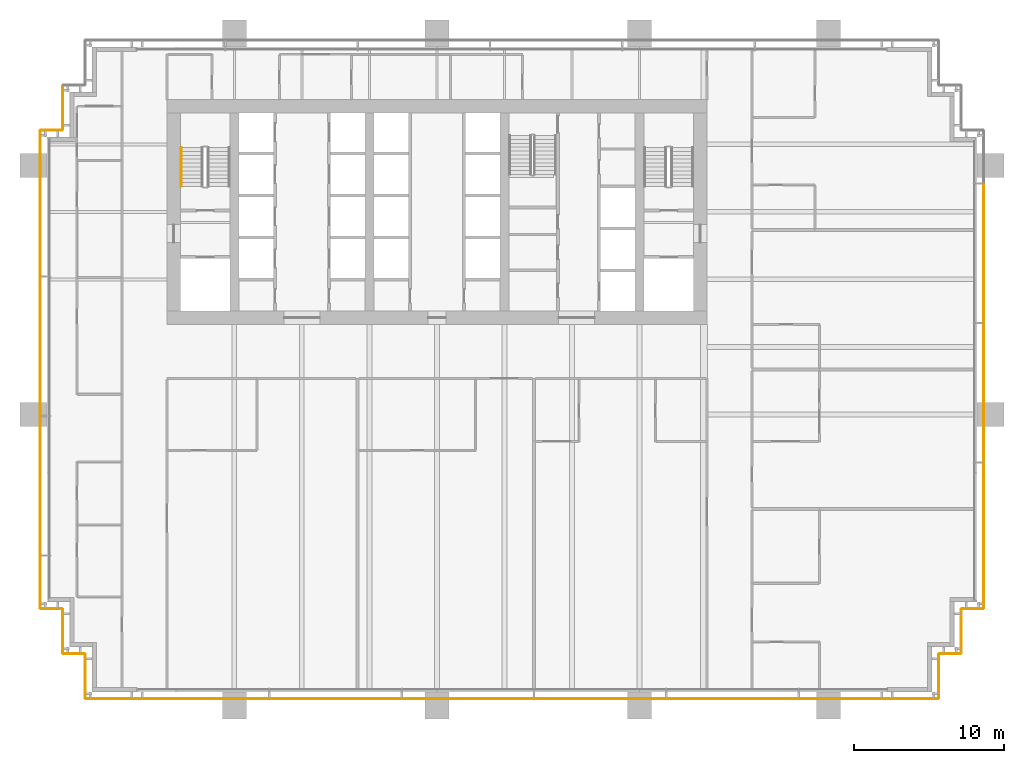
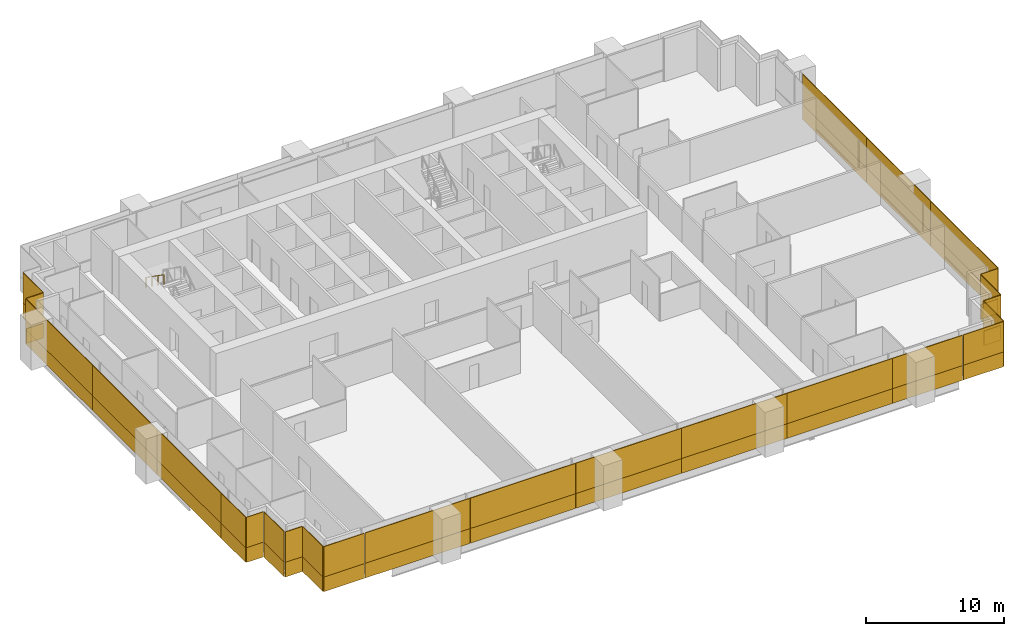
# One storey, part 17 of 19: 50 coverings, 1 railing.
"""IFC4 building model written with IfcOpenShell, lengths in metres."""

import ifcopenshell
import ifcopenshell.guid

model = None  # the IFC model being written
_history = None  # IfcOwnerHistory: only IFC2X3 demands one
_inside = {}  # id of a spatial element -> (the spatial element, [elements in it])
_under = {}  # id of a project, library or spatial element -> (it, [spatial elements below it])
_declared = {}  # id of a project -> (the project, [libraries it declares])
_typed = {}  # id of a type object -> (the type object, [elements of that type])
_made_of = {}  # id of a material, layer set ... -> (it, [elements and type objects made of it])


def new_model(schema):
    """Start an empty IFC model of exactly this schema.

    Asked for "IFC4X3", IfcOpenShell would pick the latest addendum, in which some entities
    have other attributes; the version numbers below select the first issue.
    IFC2X3 requires an IfcOwnerHistory on every rooted entity: one is made here for all.
    """
    global model, _history
    if schema == "IFC4X3":
        model = ifcopenshell.file(schema_version=(4, 3, 0, 0))
    else:
        model = ifcopenshell.file(schema=schema)
    _inside.clear()
    _under.clear()
    _declared.clear()
    _typed.clear()
    _made_of.clear()
    _history = None
    if model.schema == "IFC2X3":
        org = make("IfcOrganization", Name="unknown")
        user = make(
            "IfcPersonAndOrganization",
            ThePerson=make("IfcPerson", FamilyName="unknown"),
            TheOrganization=org,
        )
        app = make(
            "IfcApplication",
            ApplicationDeveloper=org,
            Version="unknown",
            ApplicationFullName="unknown",
            ApplicationIdentifier="unknown",
        )
        _history = make(
            "IfcOwnerHistory",
            OwningUser=user,
            OwningApplication=app,
            ChangeAction="ADDED",
            CreationDate=0,
        )
    return model


def make(cls, **values):
    """One entity of the class cls with the attributes given. An attribute that is None is left unset."""
    return model.create_entity(
        cls, **{name: value for name, value in values.items() if value is not None}
    )


def rooted(cls, **values):
    """An entity with a GlobalId (a new one), such as an element, a storey or a relation."""
    return make(cls, GlobalId=ifcopenshell.guid.new(), OwnerHistory=_history, **values)


def si_unit(unit_type, name, prefix=None):
    """IfcSIUnit, for example si_unit("LENGTHUNIT", "METRE", prefix="MILLI")."""
    return make("IfcSIUnit", UnitType=unit_type, Prefix=prefix, Name=name)


def assignment(units):
    """IfcUnitAssignment: the units of a project."""
    return None if units is None else make("IfcUnitAssignment", Units=units)


def point(xyz):
    """IfcCartesianPoint."""
    return None if xyz is None else make("IfcCartesianPoint", Coordinates=xyz)


def direction(xyz):
    """IfcDirection."""
    return None if xyz is None else make("IfcDirection", DirectionRatios=xyz)


def frame(location, z_axis=None, x_axis=None):
    """IfcAxis2Placement3D, a coordinate frame: its origin and axes. An axis left out is left unset."""
    return make(
        "IfcAxis2Placement3D",
        Location=point(location),
        Axis=direction(z_axis),
        RefDirection=direction(x_axis),
    )


def frame_2d(location, x_axis=None):
    """IfcAxis2Placement2D, a coordinate frame in the plane: its origin and x axis."""
    return make(
        "IfcAxis2Placement2D", Location=point(location), RefDirection=direction(x_axis)
    )


def origin():
    """The frame at (0, 0, 0) with its axes left unset."""
    return frame((0.0, 0.0, 0.0))


def origin_2d():
    """The frame at (0, 0) in the plane with its x axis left unset."""
    return frame_2d((0.0, 0.0))


def place(relative_to, where):
    """IfcLocalPlacement: puts the frame where relative to a parent placement (None: the world)."""
    return make(
        "IfcLocalPlacement", PlacementRelTo=relative_to, RelativePlacement=where
    )


def context(
    kind, dimensions, precision=None, world=None, true_north=None, identifier=None
):
    """IfcGeometricRepresentationContext, for example the 3D "Model" context."""
    return make(
        "IfcGeometricRepresentationContext",
        ContextIdentifier=identifier,
        ContextType=kind,
        CoordinateSpaceDimension=dimensions,
        Precision=precision,
        WorldCoordinateSystem=world,
        TrueNorth=true_north,
    )


def subcontext(parent, identifier, kind, view, scale=None):
    """IfcGeometricRepresentationSubContext, for example "Body" below "Model"."""
    return make(
        "IfcGeometricRepresentationSubContext",
        ContextIdentifier=identifier,
        ContextType=kind,
        ParentContext=parent,
        TargetScale=scale,
        TargetView=view,
    )


def project(units=None, contexts=None):
    """IfcProject with its units and contexts."""
    return rooted(
        "IfcProject",
        Name="project",
        RepresentationContexts=contexts,
        UnitsInContext=assignment(units),
    )


def spatial(cls, under=None, at=None, **own):
    """A site, building, storey or space (cls), placed at a placement, below another one or the project."""
    s = rooted(cls, ObjectPlacement=at, **own)
    if under is not None:
        _under.setdefault(under.id(), (under, []))[1].append(s)
    return s


def profile(cls, at=None, kind="AREA", **sizes):
    """A parametric profile (cls). Its sizes go by their IFC names, for example OverallWidth=200.0."""
    return make(cls, ProfileType=kind, Position=at, **sizes)


def rectangle(**sizes):
    """IfcRectangleProfileDef."""
    return profile("IfcRectangleProfileDef", **sizes)


def extrude(swept, where, along, depth):
    """IfcExtrudedAreaSolid: the profile swept, set in the frame where, extruded along a direction by depth."""
    return make(
        "IfcExtrudedAreaSolid",
        SweptArea=swept,
        Position=where,
        ExtrudedDirection=direction(along),
        Depth=depth,
    )


def shape(context_of_items, identifier, shape_type, items):
    """IfcShapeRepresentation: the items that make up one representation, for example the "Body"."""
    return make(
        "IfcShapeRepresentation",
        ContextOfItems=context_of_items,
        RepresentationIdentifier=identifier,
        RepresentationType=shape_type,
        Items=items,
    )


def material(Name=None, Category=None):
    """IfcMaterial."""
    return make("IfcMaterial", Name=Name, Category=Category)


def layer(
    of_material, thickness, ventilated=None, Name=None, Category=None, Priority=None
):
    """IfcMaterialLayer: one layer of a wall or slab, of a material (None: an air gap)."""
    return make(
        "IfcMaterialLayer",
        Material=of_material,
        LayerThickness=thickness,
        IsVentilated=ventilated,
        Name=Name,
        Category=Category,
        Priority=Priority,
    )


def layer_set(layers, Name=None):
    """IfcMaterialLayerSet."""
    return make("IfcMaterialLayerSet", MaterialLayers=layers, LayerSetName=Name)


def made_of(thing, what):
    """Note that an element or type object is made of a material, layer set ...; save() writes the relation."""
    if what is not None:
        _made_of.setdefault(what.id(), (what, []))[1].append(thing)
    return thing


def type_object(cls, material=None, **own):
    """A type object (cls), such as IfcWallType, which elements share."""
    return made_of(rooted(cls, **own), material)


def element(
    cls,
    number,
    at=None,
    inside=None,
    cuts=None,
    type_object=None,
    material=None,
    context=None,
    identifier="Body",
    shape_type=None,
    held_by="IfcProductDefinitionShape",
    body=None,
    shapes=None,
    **own,
):
    """One element of the class cls, such as IfcWall. Its Tag is "e" and its number.

    at: its placement. inside: the storey or other place that contains it. cuts: it is an
    opening in that element (IfcRelVoidsElement). A single representation is given by context,
    identifier, shape_type and body (its items); several are given by shapes. held_by: the class
    of the entity that holds the representations. save() writes the other relations.
    """
    e = rooted(cls, Tag="e%d" % number, ObjectPlacement=at, **own)
    if body is not None:
        shapes = [shape(context, identifier, shape_type, body)]
    if shapes is not None:
        e.Representation = make(held_by, Representations=shapes)
    if inside is not None:
        _inside.setdefault(inside.id(), (inside, []))[1].append(e)
    if cuts is not None:
        rooted(
            "IfcRelVoidsElement", RelatingBuildingElement=cuts, RelatedOpeningElement=e
        )
    if type_object is not None:
        _typed.setdefault(type_object.id(), (type_object, []))[1].append(e)
    return made_of(e, material)


def aggregate(whole, parts):
    """IfcRelAggregates: a whole, such as a stair, and the parts it consists of."""
    return rooted("IfcRelAggregates", RelatingObject=whole, RelatedObjects=parts)


def save(model, path):
    """Write the relations noted so far, then the file.

    IfcRelAggregates (storeys below a building ...), IfcRelContainedInSpatialStructure (elements
    in a storey), IfcRelDefinesByType, IfcRelAssociatesMaterial and IfcRelDeclares: one each for
    every whole, place, type object, material and project.
    """
    for whole, parts in _under.values():
        aggregate(whole, parts)
    for where, things in _inside.values():
        rooted(
            "IfcRelContainedInSpatialStructure",
            RelatedElements=things,
            RelatingStructure=where,
        )
    for kind, things in _typed.values():
        rooted("IfcRelDefinesByType", RelatedObjects=things, RelatingType=kind)
    for what, things in _made_of.values():
        rooted("IfcRelAssociatesMaterial", RelatedObjects=things, RelatingMaterial=what)
    for by, libraries in _declared.values():
        rooted("IfcRelDeclares", RelatingContext=by, RelatedDefinitions=libraries)
    model.write(path)


model = new_model("IFC4")

# Units and contexts
model_context = context("Model", 3, precision=1e-05, world=origin(), true_north=direction((0.0, 1.0)))
body_context = subcontext(model_context, "Body", "Model", "MODEL_VIEW")
ifc_project = project(units=[si_unit("LENGTHUNIT", "METRE"), si_unit("AREAUNIT", "SQUARE_METRE"), si_unit("VOLUMEUNIT", "CUBIC_METRE"), si_unit("PLANEANGLEUNIT", "RADIAN"), si_unit("MASSUNIT", "GRAM", prefix="KILO")], contexts=[model_context])

# Site, building, storey
site_placement = place(None, origin())
site = spatial("IfcSite", under=ifc_project, at=site_placement, CompositionType="ELEMENT")
building_placement = place(site_placement, origin())
building = spatial("IfcBuilding", under=site, at=building_placement, Name="Rattan Terrace Tower", CompositionType="ELEMENT")
storey_placement = place(building_placement, frame((0.0, 0.0, 111.699951171875)))
storey = spatial("IfcBuildingStorey", under=building, at=storey_placement, Name="L25", CompositionType="ELEMENT", Elevation=111.699951171875)

# Railing
ifc_material_1 = material(Name="Powder-coated steel handrail", Category="steel")
railing_type = type_object("IfcRailingType", Name="Core stair handrail", PredefinedType="HANDRAIL", material=ifc_material_1)
railing_placement = place(storey_placement, frame((-17.050048828125, 4.300048828125, 2.181884765625)))
element("IfcRailing", 1, at=railing_placement, inside=storey, type_object=railing_type, Name="L25 S1 stair handrail 2", PredefinedType="HANDRAIL", context=body_context, shape_type="SweptSolid", body=[
    extrude(rectangle(XDim=0.048095703125, YDim=0.048095703125, at=origin_2d()), frame((0.0, 0.0, 0.8759765625), z_axis=(0.0, -0.819521025635, 0.573049115296), x_axis=(1.0, 0.0, 0.0)), (0.0, 0.0, 1.0), 3.172607421875),
    extrude(rectangle(XDim=0.0419921875, YDim=0.0419921875, at=origin_2d()), origin(), (0.0, 0.0, 1.0), 0.851806640625),
    extrude(rectangle(XDim=0.0419921875, YDim=0.0419921875, at=origin_2d()), frame((0.0, -0.86669921875, 0.60595703125)), (0.0, 0.0, 1.0), 0.851806640625),
    extrude(rectangle(XDim=0.0419921875, YDim=0.0419921875, at=origin_2d()), frame((0.0, -1.7333984375, 1.212158203125)), (0.0, 0.0, 1.0), 0.851806640625),
    extrude(rectangle(XDim=0.0419921875, YDim=0.0419921875, at=origin_2d()), frame((0.0, -2.60009765625, 1.818115234375)), (0.0, 0.0, 1.0), 0.851806640625),
])

# Coverings
ifc_material_2 = material(Name="Solid terracotta", Category="masonry")
ifc_layer_1 = layer(ifc_material_2, 0.06005859375)
ifc_layer_set_1 = layer_set([ifc_layer_1], Name="Facade Terracotta Band Panel")
covering_type_1 = type_object("IfcCoveringType", Name="Facade Terracotta Band Panel", PredefinedType="CLADDING", material=ifc_layer_set_1)
covering_1_placement = place(storey_placement, frame((31.72509765625, -32.449951171875, -0.18994140625), z_axis=(0.0, 0.0, 1.0), x_axis=(1.0, 0.0, 0.0)))
element("IfcCovering", 2, at=covering_1_placement, inside=storey, type_object=covering_type_1, Name="OUTER SKIN panel L25-1A", PredefinedType="CLADDING", context=body_context, shape_type="SweptSolid", body=[
    extrude(rectangle(XDim=3.3701171875, YDim=0.06005859375, at=origin_2d()), origin(), (0.0, 0.0, 1.0), 1.300048828125),
])
covering_2_placement = place(storey_placement, frame((33.449951171875, -30.949951171875, -0.18994140625), z_axis=(0.0, 0.0, 1.0), x_axis=(0.0, 1.0, 0.0)))
element("IfcCovering", 3, at=covering_2_placement, inside=storey, type_object=covering_type_1, Name="OUTER SKIN panel L25-2A", PredefinedType="CLADDING", context=body_context, shape_type="SweptSolid", body=[
    extrude(rectangle(XDim=2.919921875, YDim=0.06005859375, at=origin_2d()), origin(), (0.0, 0.0, 1.0), 1.300048828125),
])
covering_3_placement = place(storey_placement, frame((34.199951171875, -29.449951171875, -0.18994140625), z_axis=(0.0, 0.0, 1.0), x_axis=(1.0, 0.0, 0.0)))
element("IfcCovering", 4, at=covering_3_placement, inside=storey, type_object=covering_type_1, Name="OUTER SKIN panel L25-3A", PredefinedType="CLADDING", context=body_context, shape_type="SweptSolid", body=[
    extrude(rectangle(XDim=1.419921875, YDim=0.06005859375, at=origin_2d()), origin(), (0.0, 0.0, 1.0), 1.300048828125),
])
covering_4_placement = place(storey_placement, frame((34.949951171875, -27.949951171875, -0.18994140625), z_axis=(0.0, 0.0, 1.0), x_axis=(0.0, 1.0, 0.0)))
element("IfcCovering", 5, at=covering_4_placement, inside=storey, type_object=covering_type_1, Name="OUTER SKIN panel L25-4A", PredefinedType="CLADDING", context=body_context, shape_type="SweptSolid", body=[
    extrude(rectangle(XDim=2.919921875, YDim=0.06005859375, at=origin_2d()), origin(), (0.0, 0.0, 1.0), 1.300048828125),
])
covering_5_placement = place(storey_placement, frame((35.699951171875, -26.449951171875, -0.18994140625), z_axis=(0.0, 0.0, 1.0), x_axis=(1.0, 0.0, 0.0)))
element("IfcCovering", 6, at=covering_5_placement, inside=storey, type_object=covering_type_1, Name="OUTER SKIN panel L25-5A", PredefinedType="CLADDING", context=body_context, shape_type="SweptSolid", body=[
    extrude(rectangle(XDim=1.419921875, YDim=0.06005859375, at=origin_2d()), origin(), (0.0, 0.0, 1.0), 1.300048828125),
])
covering_6_placement = place(storey_placement, frame((36.449951171875, -21.56005859375, -0.18994140625), z_axis=(0.0, 0.0, 1.0), x_axis=(0.0, 1.0, 0.0)))
element("IfcCovering", 7, at=covering_6_placement, inside=storey, type_object=covering_type_1, Name="OUTER SKIN panel L25-6A", PredefinedType="CLADDING", context=body_context, shape_type="SweptSolid", body=[
    extrude(rectangle(XDim=9.699951171875, YDim=0.06005859375, at=origin_2d()), origin(), (0.0, 0.0, 1.0), 1.300048828125),
])
for number, where, z_axis, x_axis, name in (
    (8, (36.449951171875, -12.050048828125, -0.18994140625), (0.0, 0.0, 1.0), (0.0, 1.0, 0.0), "OUTER SKIN panel L25-7A"),
    (9, (36.449951171875, -2.75, -0.18994140625), (0.0, 0.0, 1.0), (0.0, 1.0, 0.0), "OUTER SKIN panel L25-8A"),
):
    element("IfcCovering", number, at=place(storey_placement, frame(where, z_axis=z_axis, x_axis=x_axis)), inside=storey, type_object=covering_type_1, Name=name, PredefinedType="CLADDING", context=body_context, shape_type="SweptSolid", body=[
        extrude(rectangle(XDim=9.280029296875, YDim=0.06005859375, at=origin_2d()), origin(), (0.0, 0.0, 1.0), 1.300048828125),
    ])
covering_7_placement = place(storey_placement, frame((-24.949951171875, 6.949951171875, -0.18994140625), z_axis=(0.0, 0.0, 1.0), x_axis=(0.0, -1.0, 0.0)))
element("IfcCovering", 10, at=covering_7_placement, inside=storey, type_object=covering_type_1, Name="OUTER SKIN panel L25-24A", PredefinedType="CLADDING", context=body_context, shape_type="SweptSolid", body=[
    extrude(rectangle(XDim=2.919921875, YDim=0.06005859375, at=origin_2d()), origin(), (0.0, 0.0, 1.0), 1.300048828125),
])
covering_8_placement = place(storey_placement, frame((-25.699951171875, 5.449951171875, -0.18994140625), z_axis=(0.0, 0.0, 1.0), x_axis=(-1.0, 0.0, 0.0)))
element("IfcCovering", 11, at=covering_8_placement, inside=storey, type_object=covering_type_1, Name="OUTER SKIN panel L25-25A", PredefinedType="CLADDING", context=body_context, shape_type="SweptSolid", body=[
    extrude(rectangle(XDim=1.419921875, YDim=0.06005859375, at=origin_2d()), origin(), (0.0, 0.0, 1.0), 1.300048828125),
])
covering_9_placement = place(storey_placement, frame((-26.449951171875, 0.56005859375, -0.18994140625), z_axis=(0.0, 0.0, 1.0), x_axis=(0.0, -1.0, 0.0)))
element("IfcCovering", 12, at=covering_9_placement, inside=storey, type_object=covering_type_1, Name="OUTER SKIN panel L25-26A", PredefinedType="CLADDING", context=body_context, shape_type="SweptSolid", body=[
    extrude(rectangle(XDim=9.699951171875, YDim=0.06005859375, at=origin_2d()), origin(), (0.0, 0.0, 1.0), 1.300048828125),
])
for number, where, z_axis, x_axis, name in (
    (13, (-26.449951171875, -8.949951171875, -0.18994140625), (0.0, 0.0, 1.0), (0.0, -1.0, 0.0), "OUTER SKIN panel L25-27A"),
    (14, (-26.449951171875, -18.25, -0.18994140625), (0.0, 0.0, 1.0), (0.0, -1.0, 0.0), "OUTER SKIN panel L25-28A"),
):
    element("IfcCovering", number, at=place(storey_placement, frame(where, z_axis=z_axis, x_axis=x_axis)), inside=storey, type_object=covering_type_1, Name=name, PredefinedType="CLADDING", context=body_context, shape_type="SweptSolid", body=[
        extrude(rectangle(XDim=9.280029296875, YDim=0.06005859375, at=origin_2d()), origin(), (0.0, 0.0, 1.0), 1.300048828125),
    ])
covering_10_placement = place(storey_placement, frame((-26.449951171875, -24.659912109375, -0.18994140625), z_axis=(0.0, 0.0, 1.0), x_axis=(0.0, -1.0, 0.0)))
element("IfcCovering", 15, at=covering_10_placement, inside=storey, type_object=covering_type_1, Name="OUTER SKIN panel L25-29A", PredefinedType="CLADDING", context=body_context, shape_type="SweptSolid", body=[
    extrude(rectangle(XDim=3.5, YDim=0.06005859375, at=origin_2d()), origin(), (0.0, 0.0, 1.0), 1.300048828125),
])
covering_11_placement = place(storey_placement, frame((-25.699951171875, -26.449951171875, -0.18994140625), z_axis=(0.0, 0.0, 1.0), x_axis=(1.0, 0.0, 0.0)))
element("IfcCovering", 16, at=covering_11_placement, inside=storey, type_object=covering_type_1, Name="OUTER SKIN panel L25-30A", PredefinedType="CLADDING", context=body_context, shape_type="SweptSolid", body=[
    extrude(rectangle(XDim=1.419921875, YDim=0.06005859375, at=origin_2d()), origin(), (0.0, 0.0, 1.0), 1.300048828125),
])
covering_12_placement = place(storey_placement, frame((-24.949951171875, -27.949951171875, -0.18994140625), z_axis=(0.0, 0.0, 1.0), x_axis=(0.0, -1.0, 0.0)))
element("IfcCovering", 17, at=covering_12_placement, inside=storey, type_object=covering_type_1, Name="OUTER SKIN panel L25-31A", PredefinedType="CLADDING", context=body_context, shape_type="SweptSolid", body=[
    extrude(rectangle(XDim=2.919921875, YDim=0.06005859375, at=origin_2d()), origin(), (0.0, 0.0, 1.0), 1.300048828125),
])
covering_13_placement = place(storey_placement, frame((-24.199951171875, -29.449951171875, -0.18994140625), z_axis=(0.0, 0.0, 1.0), x_axis=(1.0, 0.0, 0.0)))
element("IfcCovering", 18, at=covering_13_placement, inside=storey, type_object=covering_type_1, Name="OUTER SKIN panel L25-32A", PredefinedType="CLADDING", context=body_context, shape_type="SweptSolid", body=[
    extrude(rectangle(XDim=1.419921875, YDim=0.06005859375, at=origin_2d()), origin(), (0.0, 0.0, 1.0), 1.300048828125),
])
covering_14_placement = place(storey_placement, frame((-23.449951171875, -30.949951171875, -0.18994140625), z_axis=(0.0, 0.0, 1.0), x_axis=(0.0, -1.0, 0.0)))
element("IfcCovering", 19, at=covering_14_placement, inside=storey, type_object=covering_type_1, Name="OUTER SKIN panel L25-33A", PredefinedType="CLADDING", context=body_context, shape_type="SweptSolid", body=[
    extrude(rectangle(XDim=2.919921875, YDim=0.06005859375, at=origin_2d()), origin(), (0.0, 0.0, 1.0), 1.300048828125),
])
covering_15_placement = place(storey_placement, frame((-21.72509765625, -32.449951171875, -0.18994140625), z_axis=(0.0, 0.0, 1.0), x_axis=(1.0, 0.0, 0.0)))
element("IfcCovering", 20, at=covering_15_placement, inside=storey, type_object=covering_type_1, Name="OUTER SKIN panel L25-34A", PredefinedType="CLADDING", context=body_context, shape_type="SweptSolid", body=[
    extrude(rectangle(XDim=3.3701171875, YDim=0.06005859375, at=origin_2d()), origin(), (0.0, 0.0, 1.0), 1.300048828125),
])
covering_16_placement = place(storey_placement, frame((-15.573486328125, -32.449951171875, -0.18994140625), z_axis=(0.0, 0.0, 1.0), x_axis=(1.0, 0.0, 0.0)))
element("IfcCovering", 21, at=covering_16_placement, inside=storey, type_object=covering_type_1, Name="OUTER SKIN panel L25-35A", PredefinedType="CLADDING", context=body_context, shape_type="SweptSolid", body=[
    extrude(rectangle(XDim=8.77294921875, YDim=0.06005859375, at=origin_2d()), origin(), (0.0, 0.0, 1.0), 1.300048828125),
])
for number, where, z_axis, x_axis, name in (
    (22, (-6.765380859375, -32.449951171875, -0.18994140625), (0.0, 0.0, 1.0), (1.0, 0.0, 0.0), "OUTER SKIN panel L25-36A"),
    (23, (2.0576171875, -32.449951171875, -0.18994140625), (0.0, 0.0, 1.0), (1.0, 0.0, 0.0), "OUTER SKIN panel L25-37A"),
    (24, (10.880615234375, -32.449951171875, -0.18994140625), (0.0, 0.0, 1.0), (1.0, 0.0, 0.0), "OUTER SKIN panel L25-38A"),
    (25, (19.70361328125, -32.449951171875, -0.18994140625), (0.0, 0.0, 1.0), (1.0, 0.0, 0.0), "OUTER SKIN panel L25-39A"),
):
    element("IfcCovering", number, at=place(storey_placement, frame(where, z_axis=z_axis, x_axis=x_axis)), inside=storey, type_object=covering_type_1, Name=name, PredefinedType="CLADDING", context=body_context, shape_type="SweptSolid", body=[
        extrude(rectangle(XDim=8.802978515625, YDim=0.06005859375, at=origin_2d()), origin(), (0.0, 0.0, 1.0), 1.300048828125),
    ])
covering_17_placement = place(storey_placement, frame((27.04248046875, -32.449951171875, -0.18994140625), z_axis=(0.0, 0.0, 1.0), x_axis=(1.0, 0.0, 0.0)))
element("IfcCovering", 26, at=covering_17_placement, inside=storey, type_object=covering_type_1, Name="OUTER SKIN panel L25-40A", PredefinedType="CLADDING", context=body_context, shape_type="SweptSolid", body=[
    extrude(rectangle(XDim=5.8349609375, YDim=0.06005859375, at=origin_2d()), origin(), (0.0, 0.0, 1.0), 1.300048828125),
])
ifc_material_3 = material(Name="Perforated terracotta", Category="masonry")
ifc_layer_2 = layer(ifc_material_3, 0.06005859375)
ifc_layer_set_2 = layer_set([ifc_layer_2], Name="Facade Terracotta Screen Panel")
covering_type_2 = type_object("IfcCoveringType", Name="Facade Terracotta Screen Panel", PredefinedType="CLADDING", material=ifc_layer_set_2)
covering_18_placement = place(storey_placement, frame((31.72509765625, -32.449951171875, 1.10986328125), z_axis=(0.0, 0.0, 1.0), x_axis=(1.0, 0.0, 0.0)))
element("IfcCovering", 27, at=covering_18_placement, inside=storey, type_object=covering_type_2, Name="OUTER SKIN panel L25-1B", PredefinedType="CLADDING", context=body_context, shape_type="SweptSolid", body=[
    extrude(rectangle(XDim=3.3701171875, YDim=0.06005859375, at=origin_2d()), origin(), (0.0, 0.0, 1.0), 2.679931640625),
])
covering_19_placement = place(storey_placement, frame((33.449951171875, -30.949951171875, 1.10986328125), z_axis=(0.0, 0.0, 1.0), x_axis=(0.0, 1.0, 0.0)))
element("IfcCovering", 28, at=covering_19_placement, inside=storey, type_object=covering_type_2, Name="OUTER SKIN panel L25-2B", PredefinedType="CLADDING", context=body_context, shape_type="SweptSolid", body=[
    extrude(rectangle(XDim=2.919921875, YDim=0.06005859375, at=origin_2d()), origin(), (0.0, 0.0, 1.0), 2.679931640625),
])
covering_20_placement = place(storey_placement, frame((34.199951171875, -29.449951171875, 1.10986328125), z_axis=(0.0, 0.0, 1.0), x_axis=(1.0, 0.0, 0.0)))
element("IfcCovering", 29, at=covering_20_placement, inside=storey, type_object=covering_type_2, Name="OUTER SKIN panel L25-3B", PredefinedType="CLADDING", context=body_context, shape_type="SweptSolid", body=[
    extrude(rectangle(XDim=1.419921875, YDim=0.06005859375, at=origin_2d()), origin(), (0.0, 0.0, 1.0), 2.679931640625),
])
covering_21_placement = place(storey_placement, frame((34.949951171875, -27.949951171875, 1.10986328125), z_axis=(0.0, 0.0, 1.0), x_axis=(0.0, 1.0, 0.0)))
element("IfcCovering", 30, at=covering_21_placement, inside=storey, type_object=covering_type_2, Name="OUTER SKIN panel L25-4B", PredefinedType="CLADDING", context=body_context, shape_type="SweptSolid", body=[
    extrude(rectangle(XDim=2.919921875, YDim=0.06005859375, at=origin_2d()), origin(), (0.0, 0.0, 1.0), 2.679931640625),
])
covering_22_placement = place(storey_placement, frame((35.699951171875, -26.449951171875, 1.10986328125), z_axis=(0.0, 0.0, 1.0), x_axis=(1.0, 0.0, 0.0)))
element("IfcCovering", 31, at=covering_22_placement, inside=storey, type_object=covering_type_2, Name="OUTER SKIN panel L25-5B", PredefinedType="CLADDING", context=body_context, shape_type="SweptSolid", body=[
    extrude(rectangle(XDim=1.419921875, YDim=0.06005859375, at=origin_2d()), origin(), (0.0, 0.0, 1.0), 2.679931640625),
])
covering_23_placement = place(storey_placement, frame((36.449951171875, -21.56005859375, 1.10986328125), z_axis=(0.0, 0.0, 1.0), x_axis=(0.0, 1.0, 0.0)))
element("IfcCovering", 32, at=covering_23_placement, inside=storey, type_object=covering_type_2, Name="OUTER SKIN panel L25-6B", PredefinedType="CLADDING", context=body_context, shape_type="SweptSolid", body=[
    extrude(rectangle(XDim=9.699951171875, YDim=0.06005859375, at=origin_2d()), origin(), (0.0, 0.0, 1.0), 2.679931640625),
])
for number, where, z_axis, x_axis, name in (
    (33, (36.449951171875, -12.050048828125, 1.10986328125), (0.0, 0.0, 1.0), (0.0, 1.0, 0.0), "OUTER SKIN panel L25-7B"),
    (34, (36.449951171875, -2.75, 1.10986328125), (0.0, 0.0, 1.0), (0.0, 1.0, 0.0), "OUTER SKIN panel L25-8B"),
):
    element("IfcCovering", number, at=place(storey_placement, frame(where, z_axis=z_axis, x_axis=x_axis)), inside=storey, type_object=covering_type_2, Name=name, PredefinedType="CLADDING", context=body_context, shape_type="SweptSolid", body=[
        extrude(rectangle(XDim=9.280029296875, YDim=0.06005859375, at=origin_2d()), origin(), (0.0, 0.0, 1.0), 2.679931640625),
    ])
covering_24_placement = place(storey_placement, frame((-24.949951171875, 6.949951171875, 1.10986328125), z_axis=(0.0, 0.0, 1.0), x_axis=(0.0, -1.0, 0.0)))
element("IfcCovering", 35, at=covering_24_placement, inside=storey, type_object=covering_type_2, Name="OUTER SKIN panel L25-24B", PredefinedType="CLADDING", context=body_context, shape_type="SweptSolid", body=[
    extrude(rectangle(XDim=2.919921875, YDim=0.06005859375, at=origin_2d()), origin(), (0.0, 0.0, 1.0), 2.679931640625),
])
covering_25_placement = place(storey_placement, frame((-25.699951171875, 5.449951171875, 1.10986328125), z_axis=(0.0, 0.0, 1.0), x_axis=(-1.0, 0.0, 0.0)))
element("IfcCovering", 36, at=covering_25_placement, inside=storey, type_object=covering_type_2, Name="OUTER SKIN panel L25-25B", PredefinedType="CLADDING", context=body_context, shape_type="SweptSolid", body=[
    extrude(rectangle(XDim=1.419921875, YDim=0.06005859375, at=origin_2d()), origin(), (0.0, 0.0, 1.0), 2.679931640625),
])
covering_26_placement = place(storey_placement, frame((-26.449951171875, 0.56005859375, 1.10986328125), z_axis=(0.0, 0.0, 1.0), x_axis=(0.0, -1.0, 0.0)))
element("IfcCovering", 37, at=covering_26_placement, inside=storey, type_object=covering_type_2, Name="OUTER SKIN panel L25-26B", PredefinedType="CLADDING", context=body_context, shape_type="SweptSolid", body=[
    extrude(rectangle(XDim=9.699951171875, YDim=0.06005859375, at=origin_2d()), origin(), (0.0, 0.0, 1.0), 2.679931640625),
])
for number, where, z_axis, x_axis, name in (
    (38, (-26.449951171875, -8.949951171875, 1.10986328125), (0.0, 0.0, 1.0), (0.0, -1.0, 0.0), "OUTER SKIN panel L25-27B"),
    (39, (-26.449951171875, -18.25, 1.10986328125), (0.0, 0.0, 1.0), (0.0, -1.0, 0.0), "OUTER SKIN panel L25-28B"),
):
    element("IfcCovering", number, at=place(storey_placement, frame(where, z_axis=z_axis, x_axis=x_axis)), inside=storey, type_object=covering_type_2, Name=name, PredefinedType="CLADDING", context=body_context, shape_type="SweptSolid", body=[
        extrude(rectangle(XDim=9.280029296875, YDim=0.06005859375, at=origin_2d()), origin(), (0.0, 0.0, 1.0), 2.679931640625),
    ])
covering_27_placement = place(storey_placement, frame((-26.449951171875, -24.659912109375, 1.10986328125), z_axis=(0.0, 0.0, 1.0), x_axis=(0.0, -1.0, 0.0)))
element("IfcCovering", 40, at=covering_27_placement, inside=storey, type_object=covering_type_2, Name="OUTER SKIN panel L25-29B", PredefinedType="CLADDING", context=body_context, shape_type="SweptSolid", body=[
    extrude(rectangle(XDim=3.5, YDim=0.06005859375, at=origin_2d()), origin(), (0.0, 0.0, 1.0), 2.679931640625),
])
covering_28_placement = place(storey_placement, frame((-25.699951171875, -26.449951171875, 1.10986328125), z_axis=(0.0, 0.0, 1.0), x_axis=(1.0, 0.0, 0.0)))
element("IfcCovering", 41, at=covering_28_placement, inside=storey, type_object=covering_type_2, Name="OUTER SKIN panel L25-30B", PredefinedType="CLADDING", context=body_context, shape_type="SweptSolid", body=[
    extrude(rectangle(XDim=1.419921875, YDim=0.06005859375, at=origin_2d()), origin(), (0.0, 0.0, 1.0), 2.679931640625),
])
covering_29_placement = place(storey_placement, frame((-24.949951171875, -27.949951171875, 1.10986328125), z_axis=(0.0, 0.0, 1.0), x_axis=(0.0, -1.0, 0.0)))
element("IfcCovering", 42, at=covering_29_placement, inside=storey, type_object=covering_type_2, Name="OUTER SKIN panel L25-31B", PredefinedType="CLADDING", context=body_context, shape_type="SweptSolid", body=[
    extrude(rectangle(XDim=2.919921875, YDim=0.06005859375, at=origin_2d()), origin(), (0.0, 0.0, 1.0), 2.679931640625),
])
covering_30_placement = place(storey_placement, frame((-24.199951171875, -29.449951171875, 1.10986328125), z_axis=(0.0, 0.0, 1.0), x_axis=(1.0, 0.0, 0.0)))
element("IfcCovering", 43, at=covering_30_placement, inside=storey, type_object=covering_type_2, Name="OUTER SKIN panel L25-32B", PredefinedType="CLADDING", context=body_context, shape_type="SweptSolid", body=[
    extrude(rectangle(XDim=1.419921875, YDim=0.06005859375, at=origin_2d()), origin(), (0.0, 0.0, 1.0), 2.679931640625),
])
covering_31_placement = place(storey_placement, frame((-23.449951171875, -30.949951171875, 1.10986328125), z_axis=(0.0, 0.0, 1.0), x_axis=(0.0, -1.0, 0.0)))
element("IfcCovering", 44, at=covering_31_placement, inside=storey, type_object=covering_type_2, Name="OUTER SKIN panel L25-33B", PredefinedType="CLADDING", context=body_context, shape_type="SweptSolid", body=[
    extrude(rectangle(XDim=2.919921875, YDim=0.06005859375, at=origin_2d()), origin(), (0.0, 0.0, 1.0), 2.679931640625),
])
covering_32_placement = place(storey_placement, frame((-21.72509765625, -32.449951171875, 1.10986328125), z_axis=(0.0, 0.0, 1.0), x_axis=(1.0, 0.0, 0.0)))
element("IfcCovering", 45, at=covering_32_placement, inside=storey, type_object=covering_type_2, Name="OUTER SKIN panel L25-34B", PredefinedType="CLADDING", context=body_context, shape_type="SweptSolid", body=[
    extrude(rectangle(XDim=3.3701171875, YDim=0.06005859375, at=origin_2d()), origin(), (0.0, 0.0, 1.0), 2.679931640625),
])
covering_33_placement = place(storey_placement, frame((-15.573486328125, -32.449951171875, 1.10986328125), z_axis=(0.0, 0.0, 1.0), x_axis=(1.0, 0.0, 0.0)))
element("IfcCovering", 46, at=covering_33_placement, inside=storey, type_object=covering_type_2, Name="OUTER SKIN panel L25-35B", PredefinedType="CLADDING", context=body_context, shape_type="SweptSolid", body=[
    extrude(rectangle(XDim=8.77294921875, YDim=0.06005859375, at=origin_2d()), origin(), (0.0, 0.0, 1.0), 2.679931640625),
])
for number, where, z_axis, x_axis, name in (
    (47, (-6.765380859375, -32.449951171875, 1.10986328125), (0.0, 0.0, 1.0), (1.0, 0.0, 0.0), "OUTER SKIN panel L25-36B"),
    (48, (2.0576171875, -32.449951171875, 1.10986328125), (0.0, 0.0, 1.0), (1.0, 0.0, 0.0), "OUTER SKIN panel L25-37B"),
    (49, (10.880615234375, -32.449951171875, 1.10986328125), (0.0, 0.0, 1.0), (1.0, 0.0, 0.0), "OUTER SKIN panel L25-38B"),
    (50, (19.70361328125, -32.449951171875, 1.10986328125), (0.0, 0.0, 1.0), (1.0, 0.0, 0.0), "OUTER SKIN panel L25-39B"),
):
    element("IfcCovering", number, at=place(storey_placement, frame(where, z_axis=z_axis, x_axis=x_axis)), inside=storey, type_object=covering_type_2, Name=name, PredefinedType="CLADDING", context=body_context, shape_type="SweptSolid", body=[
        extrude(rectangle(XDim=8.802978515625, YDim=0.06005859375, at=origin_2d()), origin(), (0.0, 0.0, 1.0), 2.679931640625),
    ])
covering_34_placement = place(storey_placement, frame((27.04248046875, -32.449951171875, 1.10986328125), z_axis=(0.0, 0.0, 1.0), x_axis=(1.0, 0.0, 0.0)))
element("IfcCovering", 51, at=covering_34_placement, inside=storey, type_object=covering_type_2, Name="OUTER SKIN panel L25-40B", PredefinedType="CLADDING", context=body_context, shape_type="SweptSolid", body=[
    extrude(rectangle(XDim=5.8349609375, YDim=0.06005859375, at=origin_2d()), origin(), (0.0, 0.0, 1.0), 2.679931640625),
])

save(model, "model.ifc")
